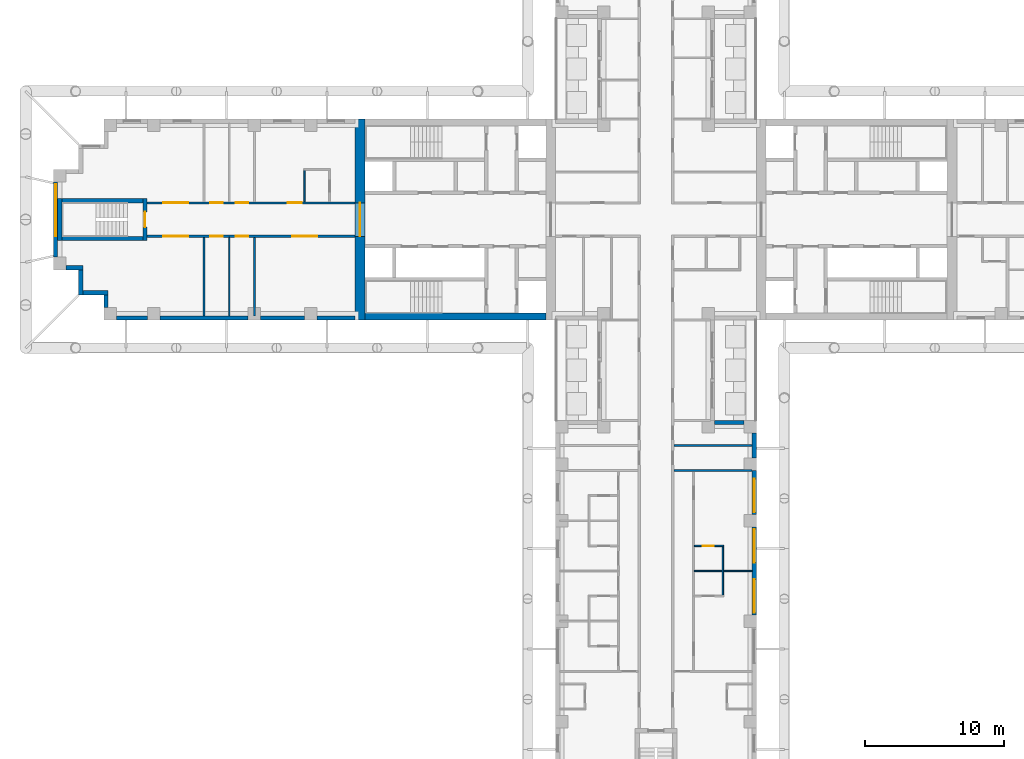
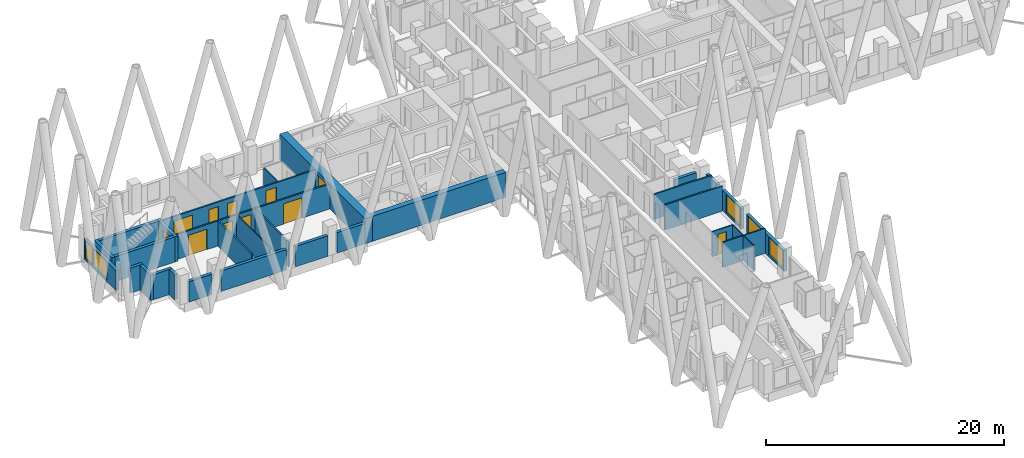
# One storey, part 5 of 14: 30 walls, 11 doors, 5 windows, 16 openings.
"""IFC4 building model written with IfcOpenShell, lengths in metres."""

from ifc_helpers import new_model, si_unit, direction, frame, frame_2d, origin, place, context, subcontext, project, spatial, rectangle, extrude, material, layer, layer_set, type_object, element, fill, save


model = new_model("IFC4")

# Units and contexts
model_context = context("Model", 3, precision=1e-05, world=origin(), true_north=direction((0.0, 1.0)))
body_context = subcontext(model_context, "Body", "Model", "MODEL_VIEW")
ifc_project = project(units=[si_unit("LENGTHUNIT", "METRE"), si_unit("AREAUNIT", "SQUARE_METRE"), si_unit("VOLUMEUNIT", "CUBIC_METRE"), si_unit("PLANEANGLEUNIT", "RADIAN"), si_unit("MASSUNIT", "GRAM", prefix="KILO")], contexts=[model_context])

# Site, building, storey
site_placement = place(None, origin())
site = spatial("IfcSite", under=ifc_project, at=site_placement, CompositionType="ELEMENT")
building_placement = place(site_placement, origin())
building = spatial("IfcBuilding", under=site, at=building_placement, Name="Fustian Cross Tower", CompositionType="ELEMENT")
storey_placement = place(building_placement, frame((0.0, 0.0, 102.89990234375)))
storey = spatial("IfcBuildingStorey", under=building, at=storey_placement, Name="L32", CompositionType="ELEMENT", Elevation=102.89990234375)

# Wall, openings, doors
ifc_material_1 = material(Name="Plasterboard on steel stud", Category="steel")
ifc_layer_1 = layer(ifc_material_1, 0.14990234375)
ifc_layer_set_1 = layer_set([ifc_layer_1], Name="Plasterboard on steel stud")
wall_type_1 = type_object("IfcWallType", Name="COMPARTMENT WALL 150 EI 60", PredefinedType="PARTITIONING", material=ifc_layer_set_1)
wall_1_placement = place(storey_placement, frame((-36.5, -1.199951171875, 0.0), z_axis=(0.0, 0.0, 1.0), x_axis=(1.0, 0.0, 0.0)))
wall_1 = element("IfcWall", 1, at=wall_1_placement, inside=storey, type_object=wall_type_1, Name="Partition 1", PredefinedType="PARTITIONING", context=body_context, shape_type="SweptSolid", body=[
    extrude(rectangle(XDim=14.89990234375, YDim=0.14990234375, at=frame_2d((7.449951171875, 0.0))), origin(), (0.0, 0.0, 1.0), 2.5751953125),
])
opening_1_placement = place(wall_1_placement, frame((10.39990234375, 0.0, 0.0)))
opening_1 = element("IfcOpeningElement", 2, at=opening_1_placement, cuts=wall_1, Name="Opening D15028", PredefinedType="OPENING", context=body_context, shape_type="SweptSolid", body=[
    extrude(rectangle(XDim=1.800048828125, YDim=2.10009765625, at=frame_2d((0.89990234375, 1.050048828125))), frame((0.0, 0.0849609375, 0.0), z_axis=(0.0, -1.0, 0.0), x_axis=(1.0, 0.0, 0.0)), (0.0, 0.0, 1.0), 0.169921875),
])
opening_2_placement = place(wall_1_placement, frame((6.35009765625, 0.0, 0.0)))
opening_2 = element("IfcOpeningElement", 3, at=opening_2_placement, cuts=wall_1, Name="Opening D15029", PredefinedType="OPENING", context=body_context, shape_type="SweptSolid", body=[
    extrude(rectangle(XDim=0.89990234375, YDim=2.10009765625, at=frame_2d((0.449951171875, 1.050048828125))), frame((0.0, 0.0849609375, 0.0), z_axis=(0.0, -1.0, 0.0), x_axis=(1.0, 0.0, 0.0)), (0.0, 0.0, 1.0), 0.169921875),
])
opening_3_placement = place(wall_1_placement, frame((4.550048828125, 0.0, 0.0)))
opening_3 = element("IfcOpeningElement", 4, at=opening_3_placement, cuts=wall_1, Name="Opening D15030", PredefinedType="OPENING", context=body_context, shape_type="SweptSolid", body=[
    extrude(rectangle(XDim=0.89990234375, YDim=2.10009765625, at=frame_2d((0.449951171875, 1.050048828125))), frame((0.0, 0.0849609375, 0.0), z_axis=(0.0, -1.0, 0.0), x_axis=(1.0, 0.0, 0.0)), (0.0, 0.0, 1.0), 0.169921875),
])
opening_4_placement = place(wall_1_placement, frame((1.14990234375, 0.0, 0.0)))
opening_4 = element("IfcOpeningElement", 5, at=opening_4_placement, cuts=wall_1, Name="Opening D15031", PredefinedType="OPENING", context=body_context, shape_type="SweptSolid", body=[
    extrude(rectangle(XDim=1.800048828125, YDim=2.10009765625, at=frame_2d((0.89990234375, 1.050048828125))), frame((0.0, 0.0849609375, 0.0), z_axis=(0.0, -1.0, 0.0), x_axis=(1.0, 0.0, 0.0)), (0.0, 0.0, 1.0), 0.169921875),
])
ifc_material_2 = material(Name="Timber fire door set", Category="wood")
door_type_1 = type_object("IfcDoorType", Name="FIRE DOUBLE DOOR 1800 FD30S", OperationType="DOUBLE_DOOR_DOUBLE_SWING", PredefinedType="DOOR", material=ifc_material_2)
door_1_placement = place(opening_1_placement, origin())
door_1 = element("IfcDoor", 6, at=door_1_placement, inside=storey, type_object=door_type_1, Name="Door D15028", OperationType="DOUBLE_DOOR_DOUBLE_SWING", OverallHeight=2.10009765625, OverallWidth=1.800048828125, PredefinedType="DOOR", context=body_context, shape_type="SweptSolid", body=[
    extrude(rectangle(XDim=1.800048828125, YDim=2.10009765625, at=frame_2d((0.89990234375, 1.050048828125))), frame((0.0, 0.02490234375, 0.0), z_axis=(0.0, -1.0, 0.0), x_axis=(1.0, 0.0, 0.0)), (0.0, 0.0, 1.0), 0.050048828125),
])
fill(opening_1, door_1)
door_2_placement = place(opening_4_placement, origin())
door_2 = element("IfcDoor", 7, at=door_2_placement, inside=storey, type_object=door_type_1, Name="Door D15031", OperationType="DOUBLE_DOOR_DOUBLE_SWING", OverallHeight=2.10009765625, OverallWidth=1.800048828125, PredefinedType="DOOR", context=body_context, shape_type="SweptSolid", body=[
    extrude(rectangle(XDim=1.800048828125, YDim=2.10009765625, at=frame_2d((0.89990234375, 1.050048828125))), frame((0.0, 0.02490234375, 0.0), z_axis=(0.0, -1.0, 0.0), x_axis=(1.0, 0.0, 0.0)), (0.0, 0.0, 1.0), 0.050048828125),
])
fill(opening_4, door_2)
ifc_material_3 = material(Name="Timber fire door set", Category="wood")
door_type_2 = type_object("IfcDoorType", Name="FIRE SWING DOOR 900 FD30S", OperationType="SINGLE_SWING_LEFT", PredefinedType="DOOR", material=ifc_material_3)
door_3_placement = place(opening_2_placement, frame((0.89990234375, 0.0, 0.0), z_axis=(0.0, 0.0, 1.0), x_axis=(-1.0, 0.0, 0.0)))
door_3 = element("IfcDoor", 8, at=door_3_placement, inside=storey, type_object=door_type_2, Name="Door D15029", OperationType="SINGLE_SWING_LEFT", OverallHeight=2.10009765625, OverallWidth=0.89990234375, PredefinedType="DOOR", context=body_context, shape_type="SweptSolid", body=[
    extrude(rectangle(XDim=0.89990234375, YDim=2.10009765625, at=frame_2d((0.449951171875, 1.050048828125))), frame((0.0, 0.02490234375, 0.0), z_axis=(0.0, -1.0, 0.0), x_axis=(1.0, 0.0, 0.0)), (0.0, 0.0, 1.0), 0.050048828125),
])
fill(opening_2, door_3)
door_4_placement = place(opening_3_placement, frame((0.89990234375, 0.0, 0.0), z_axis=(0.0, 0.0, 1.0), x_axis=(-1.0, 0.0, 0.0)))
door_4 = element("IfcDoor", 9, at=door_4_placement, inside=storey, type_object=door_type_2, Name="Door D15030", OperationType="SINGLE_SWING_LEFT", OverallHeight=2.10009765625, OverallWidth=0.89990234375, PredefinedType="DOOR", context=body_context, shape_type="SweptSolid", body=[
    extrude(rectangle(XDim=0.89990234375, YDim=2.10009765625, at=frame_2d((0.449951171875, 1.050048828125))), frame((0.0, 0.02490234375, 0.0), z_axis=(0.0, -1.0, 0.0), x_axis=(1.0, 0.0, 0.0)), (0.0, 0.0, 1.0), 0.050048828125),
])
fill(opening_3, door_4)

wall_2_placement = place(storey_placement, frame((-36.5, 1.199951171875, 0.0), z_axis=(0.0, 0.0, 1.0), x_axis=(1.0, 0.0, 0.0)))
wall_2 = element("IfcWall", 10, at=wall_2_placement, inside=storey, type_object=wall_type_1, Name="Partition 2", PredefinedType="PARTITIONING", context=body_context, shape_type="SweptSolid", body=[
    extrude(rectangle(XDim=14.89990234375, YDim=0.14990234375, at=frame_2d((7.449951171875, 0.0))), origin(), (0.0, 0.0, 1.0), 2.5751953125),
])
opening_5_placement = place(wall_2_placement, frame((10.10009765625, 0.0, 0.0)))
opening_5 = element("IfcOpeningElement", 11, at=opening_5_placement, cuts=wall_2, Name="Opening D15033", PredefinedType="OPENING", context=body_context, shape_type="SweptSolid", body=[
    extrude(rectangle(XDim=1.0, YDim=2.10009765625, at=frame_2d((0.5, 1.050048828125))), frame((0.0, 0.0849609375, 0.0), z_axis=(0.0, -1.0, 0.0), x_axis=(1.0, 0.0, 0.0)), (0.0, 0.0, 1.0), 0.169921875),
])
opening_6_placement = place(wall_2_placement, frame((6.35009765625, 0.0, 0.0)))
opening_6 = element("IfcOpeningElement", 12, at=opening_6_placement, cuts=wall_2, Name="Opening D15034", PredefinedType="OPENING", context=body_context, shape_type="SweptSolid", body=[
    extrude(rectangle(XDim=0.89990234375, YDim=2.10009765625, at=frame_2d((0.449951171875, 1.050048828125))), frame((0.0, 0.0849609375, 0.0), z_axis=(0.0, -1.0, 0.0), x_axis=(1.0, 0.0, 0.0)), (0.0, 0.0, 1.0), 0.169921875),
])
opening_7_placement = place(wall_2_placement, frame((4.550048828125, 0.0, 0.0)))
opening_7 = element("IfcOpeningElement", 13, at=opening_7_placement, cuts=wall_2, Name="Opening D15035", PredefinedType="OPENING", context=body_context, shape_type="SweptSolid", body=[
    extrude(rectangle(XDim=0.89990234375, YDim=2.10009765625, at=frame_2d((0.449951171875, 1.050048828125))), frame((0.0, 0.0849609375, 0.0), z_axis=(0.0, -1.0, 0.0), x_axis=(1.0, 0.0, 0.0)), (0.0, 0.0, 1.0), 0.169921875),
])
opening_8_placement = place(wall_2_placement, frame((1.14990234375, 0.0, 0.0)))
opening_8 = element("IfcOpeningElement", 14, at=opening_8_placement, cuts=wall_2, Name="Opening D15036", PredefinedType="OPENING", context=body_context, shape_type="SweptSolid", body=[
    extrude(rectangle(XDim=1.800048828125, YDim=2.10009765625, at=frame_2d((0.89990234375, 1.050048828125))), frame((0.0, 0.0849609375, 0.0), z_axis=(0.0, -1.0, 0.0), x_axis=(1.0, 0.0, 0.0)), (0.0, 0.0, 1.0), 0.169921875),
])
door_5_placement = place(opening_8_placement, frame((1.800048828125, 0.0, 0.0), z_axis=(0.0, 0.0, 1.0), x_axis=(-1.0, 0.0, 0.0)))
door_5 = element("IfcDoor", 15, at=door_5_placement, inside=storey, type_object=door_type_1, Name="Door D15036", OperationType="DOUBLE_DOOR_DOUBLE_SWING", OverallHeight=2.10009765625, OverallWidth=1.800048828125, PredefinedType="DOOR", context=body_context, shape_type="SweptSolid", body=[
    extrude(rectangle(XDim=1.800048828125, YDim=2.10009765625, at=frame_2d((0.89990234375, 1.050048828125))), frame((0.0, 0.02490234375, 0.0), z_axis=(0.0, -1.0, 0.0), x_axis=(1.0, 0.0, 0.0)), (0.0, 0.0, 1.0), 0.050048828125),
])
fill(opening_8, door_5)
ifc_material_4 = material(Name="Timber fire door set", Category="wood")
door_type_3 = type_object("IfcDoorType", Name="FIRE SWING DOOR 1000 FD30S", OperationType="SINGLE_SWING_LEFT", PredefinedType="DOOR", material=ifc_material_4)
door_6_placement = place(opening_5_placement, origin())
door_6 = element("IfcDoor", 16, at=door_6_placement, inside=storey, type_object=door_type_3, Name="Door D15033", OperationType="SINGLE_SWING_RIGHT", OverallHeight=2.10009765625, OverallWidth=1.0, PredefinedType="DOOR", context=body_context, shape_type="SweptSolid", body=[
    extrude(rectangle(XDim=1.0, YDim=2.10009765625, at=frame_2d((0.5, 1.050048828125))), frame((0.0, 0.02490234375, 0.0), z_axis=(0.0, -1.0, 0.0), x_axis=(1.0, 0.0, 0.0)), (0.0, 0.0, 1.0), 0.050048828125),
])
fill(opening_5, door_6)
door_7_placement = place(opening_6_placement, origin())
door_7 = element("IfcDoor", 17, at=door_7_placement, inside=storey, type_object=door_type_2, Name="Door D15034", OperationType="SINGLE_SWING_RIGHT", OverallHeight=2.10009765625, OverallWidth=0.89990234375, PredefinedType="DOOR", context=body_context, shape_type="SweptSolid", body=[
    extrude(rectangle(XDim=0.89990234375, YDim=2.10009765625, at=frame_2d((0.449951171875, 1.050048828125))), frame((0.0, 0.02490234375, 0.0), z_axis=(0.0, -1.0, 0.0), x_axis=(1.0, 0.0, 0.0)), (0.0, 0.0, 1.0), 0.050048828125),
])
fill(opening_6, door_7)
door_8_placement = place(opening_7_placement, origin())
door_8 = element("IfcDoor", 18, at=door_8_placement, inside=storey, type_object=door_type_2, Name="Door D15035", OperationType="SINGLE_SWING_RIGHT", OverallHeight=2.10009765625, OverallWidth=0.89990234375, PredefinedType="DOOR", context=body_context, shape_type="SweptSolid", body=[
    extrude(rectangle(XDim=0.89990234375, YDim=2.10009765625, at=frame_2d((0.449951171875, 1.050048828125))), frame((0.0, 0.02490234375, 0.0), z_axis=(0.0, -1.0, 0.0), x_axis=(1.0, 0.0, 0.0)), (0.0, 0.0, 1.0), 0.050048828125),
])
fill(opening_7, door_8)

# Walls
for number, where, z_axis, x_axis, name in (
    (19, (-32.39990234375, -6.89990234375, 0.0), (0.0, 0.0, 1.0), (0.0, 1.0, 0.0), "Partition 3"),
    (20, (-28.800048828125, -6.89990234375, 0.0), (0.0, 0.0, 1.0), (0.0, 1.0, 0.0), "Partition 7"),
    (21, (1.27490234375, -18.0, 0.0), (0.0, 0.0, 1.0), (1.0, 0.0, 0.0), "Partition 45"),
    (22, (1.27490234375, -16.199951171875, 0.0), (0.0, 0.0, 1.0), (1.0, 0.0, 0.0), "Partition 46"),
):
    element("IfcWall", number, at=place(storey_placement, frame(where, z_axis=z_axis, x_axis=x_axis)), inside=storey, type_object=wall_type_1, Name=name, PredefinedType="PARTITIONING", context=body_context, shape_type="SweptSolid", body=[
        extrude(rectangle(XDim=5.625, YDim=0.14990234375, at=frame_2d((2.8125, 0.0))), origin(), (0.0, 0.0, 1.0), 2.5751953125),
    ])

# Wall, opening, door
ifc_material_5 = material(Name="Concrete C70/85", Category="concrete")
ifc_layer_2 = layer(ifc_material_5, 0.75)
ifc_layer_set_2 = layer_set([ifc_layer_2], Name="Concrete C70/85")
wall_type_2 = type_object("IfcWallType", Name="CORE END WALL 750 C70/85", PredefinedType="SHEAR", material=ifc_layer_set_2)
wall_3_placement = place(storey_placement, frame((-21.22509765625, -7.199951171875, 0.0), z_axis=(0.0, 0.0, 1.0), x_axis=(0.0, 1.0, 0.0)))
wall_3 = element("IfcWall", 23, at=wall_3_placement, inside=storey, type_object=wall_type_2, Name="Core end wall", PredefinedType="SHEAR", context=body_context, shape_type="SweptSolid", body=[
    extrude(rectangle(XDim=14.39990234375, YDim=0.75, at=frame_2d((7.199951171875, 0.0))), origin(), (0.0, 0.0, 1.0), 2.5751953125),
])
opening_9_placement = place(wall_3_placement, frame((6.0, 0.0, 0.0)))
opening_9 = element("IfcOpeningElement", 24, at=opening_9_placement, cuts=wall_3, Name="Opening CD-10-28", PredefinedType="OPENING", context=body_context, shape_type="SweptSolid", body=[
    extrude(rectangle(XDim=2.39990234375, YDim=2.199951171875, at=frame_2d((1.199951171875, 1.10009765625))), frame((0.0, 0.385009765625, 0.0), z_axis=(0.0, -1.0, 0.0), x_axis=(1.0, 0.0, 0.0)), (0.0, 0.0, 1.0), 0.77001953125),
])
ifc_material_6 = material(Name="Steel", Category="steel")
door_type_4 = type_object("IfcDoorType", Name="FIRE DOOR FD30S DOUBLE 2400X2200", OperationType="DOUBLE_DOOR_DOUBLE_SWING", PredefinedType="DOOR", material=ifc_material_6)
door_9_placement = place(opening_9_placement, frame((2.39990234375, 0.0, 0.0), z_axis=(0.0, 0.0, 1.0), x_axis=(-1.0, 0.0, 0.0)))
door_9 = element("IfcDoor", 25, at=door_9_placement, inside=storey, type_object=door_type_4, Name="Core door CD-10-28", OperationType="DOUBLE_DOOR_DOUBLE_SWING", OverallHeight=2.199951171875, OverallWidth=2.39990234375, PredefinedType="DOOR", context=body_context, shape_type="SweptSolid", body=[
    extrude(rectangle(XDim=2.39990234375, YDim=2.199951171875, at=frame_2d((1.199951171875, 1.10009765625))), frame((0.0, 0.02490234375, 0.0), z_axis=(0.0, -1.0, 0.0), x_axis=(1.0, 0.0, 0.0)), (0.0, 0.0, 1.0), 0.050048828125),
])
fill(opening_9, door_9)

# Walls
ifc_material_7 = material(Name="Concrete C70/85", Category="concrete")
ifc_layer_3 = layer(ifc_material_7, 0.5)
ifc_layer_set_3 = layer_set([ifc_layer_3], Name="Concrete C70/85")
wall_type_3 = type_object("IfcWallType", Name="CORE FACADE WALL 500 C70/85", PredefinedType="SHEAR", material=ifc_layer_set_3)
wall_4_placement = place(storey_placement, frame((-7.89990234375, -6.949951171875, 0.0), z_axis=(0.0, 0.0, 1.0), x_axis=(-1.0, 0.0, 0.0)))
element("IfcWall", 26, at=wall_4_placement, inside=storey, type_object=wall_type_3, Name="Core facade wall", PredefinedType="SHEAR", context=body_context, shape_type="SweptSolid", body=[
    extrude(rectangle(XDim=12.9501953125, YDim=0.5, at=frame_2d((6.47509765625, 0.0))), origin(), (0.0, 0.0, 1.0), 2.5751953125),
])
ifc_material_8 = material(Name="Plasterboard on steel stud", Category="steel")
ifc_layer_4 = layer(ifc_material_8, 0.10009765625)
ifc_layer_set_4 = layer_set([ifc_layer_4], Name="Plasterboard on steel stud")
wall_type_4 = type_object("IfcWallType", Name="PARTITION 100 STUD", PredefinedType="PARTITIONING", material=ifc_layer_set_4)
wall_5_placement = place(storey_placement, frame((-30.60009765625, -6.89990234375, 0.0), z_axis=(0.0, 0.0, 1.0), x_axis=(0.0, 1.0, 0.0)))
element("IfcWall", 27, at=wall_5_placement, inside=storey, type_object=wall_type_4, Name="Partition 5", PredefinedType="PARTITIONING", context=body_context, shape_type="SweptSolid", body=[
    extrude(rectangle(XDim=5.625, YDim=0.10009765625, at=frame_2d((2.8125, 0.0))), origin(), (0.0, 0.0, 1.0), 2.5751953125),
])
wall_6_placement = place(storey_placement, frame((-25.199951171875, 1.27490234375, 0.0), z_axis=(0.0, 0.0, 1.0), x_axis=(0.0, 1.0, 0.0)))
element("IfcWall", 28, at=wall_6_placement, inside=storey, type_object=wall_type_4, Name="Partition 9", PredefinedType="PARTITIONING", context=body_context, shape_type="SweptSolid", body=[
    extrude(rectangle(XDim=2.275146484375, YDim=0.10009765625, at=frame_2d((1.1376953125, 0.0))), origin(), (0.0, 0.0, 1.0), 2.5751953125),
])
wall_7_placement = place(storey_placement, frame((2.75, -25.199951171875, 0.0), z_axis=(0.0, 0.0, 1.0), x_axis=(1.0, 0.0, 0.0)))
element("IfcWall", 29, at=wall_7_placement, inside=storey, type_object=wall_type_4, Name="Partition 61", PredefinedType="PARTITIONING", context=body_context, shape_type="SweptSolid", body=[
    extrude(rectangle(XDim=4.14990234375, YDim=0.10009765625, at=frame_2d((2.074951171875, 0.0))), origin(), (0.0, 0.0, 1.0), 2.5751953125),
])

# Wall, opening, door
wall_8_placement = place(storey_placement, frame((2.75, -23.39990234375, 0.0), z_axis=(0.0, 0.0, 1.0), x_axis=(1.0, 0.0, 0.0)))
wall_8 = element("IfcWall", 30, at=wall_8_placement, inside=storey, type_object=wall_type_4, Name="Partition 62", PredefinedType="PARTITIONING", context=body_context, shape_type="SweptSolid", body=[
    extrude(rectangle(XDim=2.10009765625, YDim=0.10009765625, at=frame_2d((1.050048828125, 0.0))), origin(), (0.0, 0.0, 1.0), 2.5751953125),
])
opening_10_placement = place(wall_8_placement, frame((0.60009765625, 0.0, 0.0)))
opening_10 = element("IfcOpeningElement", 31, at=opening_10_placement, cuts=wall_8, Name="Opening D15045", PredefinedType="OPENING", context=body_context, shape_type="SweptSolid", body=[
    extrude(rectangle(XDim=0.800048828125, YDim=2.10009765625, at=frame_2d((0.39990234375, 1.050048828125))), frame((0.0, 0.06005859375, 0.0), z_axis=(0.0, -1.0, 0.0), x_axis=(1.0, 0.0, 0.0)), (0.0, 0.0, 1.0), 0.1201171875),
])
ifc_material_9 = material(Name="Painted timber", Category="wood")
door_type_5 = type_object("IfcDoorType", Name="SWING DOOR 800", OperationType="SINGLE_SWING_LEFT", PredefinedType="DOOR", material=ifc_material_9)
door_10_placement = place(opening_10_placement, frame((0.800048828125, 0.0, 0.0), z_axis=(0.0, 0.0, 1.0), x_axis=(-1.0, 0.0, 0.0)))
door_10 = element("IfcDoor", 32, at=door_10_placement, inside=storey, type_object=door_type_5, Name="Door D15045", OperationType="SINGLE_SWING_RIGHT", OverallHeight=2.10009765625, OverallWidth=0.800048828125, PredefinedType="DOOR", context=body_context, shape_type="SweptSolid", body=[
    extrude(rectangle(XDim=0.800048828125, YDim=2.10009765625, at=frame_2d((0.39990234375, 1.050048828125))), frame((0.0, 0.02490234375, 0.0), z_axis=(0.0, -1.0, 0.0), x_axis=(1.0, 0.0, 0.0)), (0.0, 0.0, 1.0), 0.050048828125),
])
fill(opening_10, door_10)

# Wall
wall_9_placement = place(storey_placement, frame((4.800048828125, -26.949951171875, 0.0), z_axis=(0.0, 0.0, 1.0), x_axis=(0.0, 1.0, 0.0)))
element("IfcWall", 33, at=wall_9_placement, inside=storey, type_object=wall_type_4, Name="Partition 65", PredefinedType="PARTITIONING", context=body_context, shape_type="SweptSolid", body=[
    extrude(rectangle(XDim=3.5, YDim=0.10009765625, at=frame_2d((1.75, 0.0))), origin(), (0.0, 0.0, 1.0), 2.5751953125),
])

# Wall, opening, door
ifc_material_10 = material(Name="Concrete C50/60", Category="concrete")
ifc_layer_5 = layer(ifc_material_10, 0.300048828125)
ifc_layer_set_5 = layer_set([ifc_layer_5], Name="Concrete C50/60")
wall_type_5 = type_object("IfcWallType", Name="STAIR ENCLOSURE WALL 300 C50/60", PredefinedType="SHEAR", material=ifc_layer_set_5)
wall_10_placement = place(storey_placement, frame((-36.64990234375, -1.5, 0.0), z_axis=(0.0, 0.0, 1.0), x_axis=(0.0, 1.0, 0.0)))
wall_10 = element("IfcWall", 34, at=wall_10_placement, inside=storey, type_object=wall_type_5, Name="Stair enclosure wall", PredefinedType="SHEAR", context=body_context, shape_type="SweptSolid", body=[
    extrude(rectangle(XDim=3.0, YDim=0.300048828125, at=frame_2d((1.5, 0.0))), origin(), (0.0, 0.0, 1.0), 2.5751953125),
])
opening_11_placement = place(wall_10_placement, frame((0.949951171875, 0.0, 0.0)))
opening_11 = element("IfcOpeningElement", 35, at=opening_11_placement, cuts=wall_10, Name="Opening CD-10-33", PredefinedType="OPENING", context=body_context, shape_type="SweptSolid", body=[
    extrude(rectangle(XDim=1.10009765625, YDim=2.10009765625, at=frame_2d((0.550048828125, 1.050048828125))), frame((0.0, 0.159912109375, 0.0), z_axis=(0.0, -1.0, 0.0), x_axis=(1.0, 0.0, 0.0)), (0.0, 0.0, 1.0), 0.320068359375),
])
ifc_material_11 = material(Name="Steel", Category="steel")
door_type_6 = type_object("IfcDoorType", Name="FIRE DOOR FD60S 1100X2100", OperationType="SINGLE_SWING_LEFT", PredefinedType="DOOR", material=ifc_material_11)
door_11_placement = place(opening_11_placement, origin())
door_11 = element("IfcDoor", 36, at=door_11_placement, inside=storey, type_object=door_type_6, Name="Core door CD-10-33", OperationType="SINGLE_SWING_LEFT", OverallHeight=2.10009765625, OverallWidth=1.10009765625, PredefinedType="DOOR", context=body_context, shape_type="SweptSolid", body=[
    extrude(rectangle(XDim=1.10009765625, YDim=2.10009765625, at=frame_2d((0.550048828125, 1.050048828125))), frame((0.0, 0.02490234375, 0.0), z_axis=(0.0, -1.0, 0.0), x_axis=(1.0, 0.0, 0.0)), (0.0, 0.0, 1.0), 0.050048828125),
])
fill(opening_11, door_11)

# Walls
wall_11_placement = place(storey_placement, frame((-42.75, -1.5, 0.0), z_axis=(0.0, 0.0, 1.0), x_axis=(0.0, 1.0, 0.0)))
element("IfcWall", 37, at=wall_11_placement, inside=storey, type_object=wall_type_5, Name="Stair enclosure wall", PredefinedType="SHEAR", context=body_context, shape_type="SweptSolid", body=[
    extrude(rectangle(XDim=3.0, YDim=0.300048828125, at=frame_2d((1.5, 0.0))), origin(), (0.0, 0.0, 1.0), 2.5751953125),
])
for number, where, z_axis, x_axis, name in (
    (38, (-36.800048828125, -1.35009765625, 0.0), (0.0, 0.0, 1.0), (-1.0, 0.0, 0.0), "Stair enclosure wall"),
    (39, (-36.800048828125, 1.35009765625, 0.0), (0.0, 0.0, 1.0), (-1.0, 0.0, 0.0), "Stair enclosure wall"),
):
    element("IfcWall", number, at=place(storey_placement, frame(where, z_axis=z_axis, x_axis=x_axis)), inside=storey, type_object=wall_type_5, Name=name, PredefinedType="SHEAR", context=body_context, shape_type="SweptSolid", body=[
        extrude(rectangle(XDim=5.800048828125, YDim=0.300048828125, at=frame_2d((2.89990234375, 0.0))), origin(), (0.0, 0.0, 1.0), 2.5751953125),
    ])

# Wall, openings, windows
ifc_material_12 = material(Name="Dark aluminium cladding on insulated backing wall", Category="aluminium")
ifc_layer_6 = layer(ifc_material_12, 0.300048828125)
ifc_layer_set_6 = layer_set([ifc_layer_6], Name="Dark aluminium cladding on insulated backing wall")
wall_type_6 = type_object("IfcWallType", Name="XW1 EXTERNAL WALL 300", PredefinedType="SOLIDWALL", material=ifc_layer_set_6)
wall_12_placement = place(storey_placement, frame((-43.050048828125, 2.699951171875, 0.0), z_axis=(0.0, 0.0, 1.0), x_axis=(0.0, -1.0, 0.0)))
wall_12 = element("IfcWall", 40, at=wall_12_placement, inside=storey, type_object=wall_type_6, Name="External wall", PredefinedType="SOLIDWALL", context=body_context, shape_type="SweptSolid", body=[
    extrude(rectangle(XDim=5.39990234375, YDim=0.300048828125, at=frame_2d((2.699951171875, 0.0))), origin(), (0.0, 0.0, 1.0), 2.10009765625),
])
opening_12_placement = place(wall_12_placement, frame((1.5, 0.0, 0.199951171875)))
opening_12 = element("IfcOpeningElement", 41, at=opening_12_placement, cuts=wall_12, Name="Opening WN1", PredefinedType="OPENING", context=body_context, shape_type="SweptSolid", body=[
    extrude(rectangle(XDim=2.39990234375, YDim=1.85009765625, at=frame_2d((1.199951171875, 0.925048828125))), frame((0.0, 0.159912109375, 0.0), z_axis=(0.0, -1.0, 0.0), x_axis=(1.0, 0.0, 0.0)), (0.0, 0.0, 1.0), 0.320068359375),
])
opening_13_placement = place(wall_12_placement, frame((0.14990234375, 0.0, 0.199951171875)))
opening_13 = element("IfcOpeningElement", 42, at=opening_13_placement, cuts=wall_12, Name="Opening WN3", PredefinedType="OPENING", context=body_context, shape_type="SweptSolid", body=[
    extrude(rectangle(XDim=1.199951171875, YDim=1.85009765625, at=frame_2d((0.60009765625, 0.925048828125))), frame((0.0, 0.159912109375, 0.0), z_axis=(0.0, -1.0, 0.0), x_axis=(1.0, 0.0, 0.0)), (0.0, 0.0, 1.0), 0.320068359375),
])
ifc_material_13 = material(Name="Dark anodised aluminium and double glazing", Category="aluminium")
window_type_1 = type_object("IfcWindowType", Name="WN1 WINDOW 2400X1850", PartitioningType="SINGLE_PANEL", PredefinedType="WINDOW", material=ifc_material_13)
window_1_placement = place(opening_12_placement, origin())
window_1 = element("IfcWindow", 43, at=window_1_placement, inside=storey, type_object=window_type_1, Name="Window", OverallHeight=1.85009765625, OverallWidth=2.39990234375, PartitioningType="SINGLE_PANEL", PredefinedType="WINDOW", context=body_context, shape_type="SweptSolid", body=[
    extrude(rectangle(XDim=2.39990234375, YDim=1.85009765625, at=frame_2d((1.199951171875, 0.925048828125))), frame((0.0, 0.030029296875, 0.0), z_axis=(0.0, -1.0, 0.0), x_axis=(1.0, 0.0, 0.0)), (0.0, 0.0, 1.0), 0.06005859375),
])
fill(opening_12, window_1)
ifc_material_14 = material(Name="Dark anodised aluminium and double glazing", Category="aluminium")
window_type_2 = type_object("IfcWindowType", Name="WN3 WINDOW 1200X1850", PartitioningType="SINGLE_PANEL", PredefinedType="WINDOW", material=ifc_material_14)
window_2_placement = place(opening_13_placement, origin())
window_2 = element("IfcWindow", 44, at=window_2_placement, inside=storey, type_object=window_type_2, Name="Window", OverallHeight=1.85009765625, OverallWidth=1.199951171875, PartitioningType="SINGLE_PANEL", PredefinedType="WINDOW", context=body_context, shape_type="SweptSolid", body=[
    extrude(rectangle(XDim=1.199951171875, YDim=1.85009765625, at=frame_2d((0.60009765625, 0.925048828125))), frame((0.0, 0.030029296875, 0.0), z_axis=(0.0, -1.0, 0.0), x_axis=(1.0, 0.0, 0.0)), (0.0, 0.0, 1.0), 0.06005859375),
])
fill(opening_13, window_2)

# Walls
wall_13_placement = place(storey_placement, frame((-42.300048828125, -3.449951171875, 0.0), z_axis=(0.0, 0.0, 1.0), x_axis=(1.0, 0.0, 0.0)))
element("IfcWall", 45, at=wall_13_placement, inside=storey, type_object=wall_type_6, Name="External wall", PredefinedType="SOLIDWALL", context=body_context, shape_type="SweptSolid", body=[
    extrude(rectangle(XDim=1.199951171875, YDim=0.300048828125, at=frame_2d((0.60009765625, 0.0))), origin(), (0.0, 0.0, 1.0), 2.5751953125),
])
wall_14_placement = place(storey_placement, frame((-41.25, -3.60009765625, 0.0), z_axis=(0.0, 0.0, 1.0), x_axis=(0.0, -1.0, 0.0)))
element("IfcWall", 46, at=wall_14_placement, inside=storey, type_object=wall_type_6, Name="External wall", PredefinedType="SOLIDWALL", context=body_context, shape_type="SweptSolid", body=[
    extrude(rectangle(XDim=1.7998046875, YDim=0.300048828125, at=frame_2d((0.89990234375, 0.0))), origin(), (0.0, 0.0, 1.0), 2.5751953125),
])
wall_15_placement = place(storey_placement, frame((-41.10009765625, -5.25, 0.0), z_axis=(0.0, 0.0, 1.0), x_axis=(1.0, 0.0, 0.0)))
element("IfcWall", 47, at=wall_15_placement, inside=storey, type_object=wall_type_6, Name="External wall", PredefinedType="SOLIDWALL", context=body_context, shape_type="SweptSolid", body=[
    extrude(rectangle(XDim=1.800048828125, YDim=0.300048828125, at=frame_2d((0.89990234375, 0.0))), origin(), (0.0, 0.0, 1.0), 2.5751953125),
])
wall_16_placement = place(storey_placement, frame((-39.449951171875, -5.39990234375, 0.0), z_axis=(0.0, 0.0, 1.0), x_axis=(0.0, -1.0, 0.0)))
element("IfcWall", 48, at=wall_16_placement, inside=storey, type_object=wall_type_6, Name="External wall", PredefinedType="SOLIDWALL", context=body_context, shape_type="SweptSolid", body=[
    extrude(rectangle(XDim=0.900146484375, YDim=0.300048828125, at=frame_2d((0.4501953125, 0.0))), origin(), (0.0, 0.0, 1.0), 2.5751953125),
])
wall_17_placement = place(storey_placement, frame((-38.699951171875, -7.050048828125, 0.0), z_axis=(0.0, 0.0, 1.0), x_axis=(1.0, 0.0, 0.0)))
element("IfcWall", 49, at=wall_17_placement, inside=storey, type_object=wall_type_6, Name="External wall", PredefinedType="SOLIDWALL", context=body_context, shape_type="SweptSolid", body=[
    extrude(rectangle(XDim=2.25, YDim=0.300048828125, at=frame_2d((1.125, 0.0))), origin(), (0.0, 0.0, 1.0), 2.10009765625),
])
wall_18_placement = place(storey_placement, frame((-35.550048828125, -7.050048828125, 0.0), z_axis=(0.0, 0.0, 1.0), x_axis=(1.0, 0.0, 0.0)))
element("IfcWall", 50, at=wall_18_placement, inside=storey, type_object=wall_type_6, Name="External wall", PredefinedType="SOLIDWALL", context=body_context, shape_type="SweptSolid", body=[
    extrude(rectangle(XDim=6.300048828125, YDim=0.300048828125, at=frame_2d((3.14990234375, 0.0))), origin(), (0.0, 0.0, 1.0), 2.10009765625),
])
wall_19_placement = place(storey_placement, frame((-28.35009765625, -7.050048828125, 0.0), z_axis=(0.0, 0.0, 1.0), x_axis=(1.0, 0.0, 0.0)))
element("IfcWall", 51, at=wall_19_placement, inside=storey, type_object=wall_type_6, Name="External wall", PredefinedType="SOLIDWALL", context=body_context, shape_type="SweptSolid", body=[
    extrude(rectangle(XDim=3.150146484375, YDim=0.300048828125, at=frame_2d((1.5751953125, 0.0))), origin(), (0.0, 0.0, 1.0), 2.10009765625),
])
wall_20_placement = place(storey_placement, frame((-24.300048828125, -7.050048828125, 0.0), z_axis=(0.0, 0.0, 1.0), x_axis=(1.0, 0.0, 0.0)))
element("IfcWall", 52, at=wall_20_placement, inside=storey, type_object=wall_type_6, Name="External wall", PredefinedType="SOLIDWALL", context=body_context, shape_type="SweptSolid", body=[
    extrude(rectangle(XDim=2.699951171875, YDim=0.300048828125, at=frame_2d((1.35009765625, 0.0))), origin(), (0.0, 0.0, 1.0), 2.10009765625),
])

# Wall, openings, windows
wall_21_placement = place(storey_placement, frame((7.050048828125, -28.35009765625, 0.0), z_axis=(0.0, 0.0, 1.0), x_axis=(0.0, 1.0, 0.0)))
wall_21 = element("IfcWall", 53, at=wall_21_placement, inside=storey, type_object=wall_type_6, Name="External wall", PredefinedType="SOLIDWALL", context=body_context, shape_type="SweptSolid", body=[
    extrude(rectangle(XDim=6.300048828125, YDim=0.300048828125, at=frame_2d((3.14990234375, 0.0))), origin(), (0.0, 0.0, 1.0), 2.10009765625),
])
opening_14_placement = place(wall_21_placement, frame((0.14990234375, 0.0, 0.199951171875)))
opening_14 = element("IfcOpeningElement", 54, at=opening_14_placement, cuts=wall_21, Name="Opening WN1", PredefinedType="OPENING", context=body_context, shape_type="SweptSolid", body=[
    extrude(rectangle(XDim=2.39990234375, YDim=1.85009765625, at=frame_2d((1.199951171875, 0.925048828125))), frame((0.0, 0.159912109375, 0.0), z_axis=(0.0, -1.0, 0.0), x_axis=(1.0, 0.0, 0.0)), (0.0, 0.0, 1.0), 0.320068359375),
])
opening_15_placement = place(wall_21_placement, frame((3.75, 0.0, 0.199951171875)))
opening_15 = element("IfcOpeningElement", 55, at=opening_15_placement, cuts=wall_21, Name="Opening WN1", PredefinedType="OPENING", context=body_context, shape_type="SweptSolid", body=[
    extrude(rectangle(XDim=2.39990234375, YDim=1.85009765625, at=frame_2d((1.199951171875, 0.925048828125))), frame((0.0, 0.159912109375, 0.0), z_axis=(0.0, -1.0, 0.0), x_axis=(1.0, 0.0, 0.0)), (0.0, 0.0, 1.0), 0.320068359375),
])
window_3_placement = place(opening_14_placement, origin())
window_3 = element("IfcWindow", 56, at=window_3_placement, inside=storey, type_object=window_type_1, Name="Window", OverallHeight=1.85009765625, OverallWidth=2.39990234375, PartitioningType="SINGLE_PANEL", PredefinedType="WINDOW", context=body_context, shape_type="SweptSolid", body=[
    extrude(rectangle(XDim=2.39990234375, YDim=1.85009765625, at=frame_2d((1.199951171875, 0.925048828125))), frame((0.0, 0.030029296875, 0.0), z_axis=(0.0, -1.0, 0.0), x_axis=(1.0, 0.0, 0.0)), (0.0, 0.0, 1.0), 0.06005859375),
])
fill(opening_14, window_3)
window_4_placement = place(opening_15_placement, origin())
window_4 = element("IfcWindow", 57, at=window_4_placement, inside=storey, type_object=window_type_1, Name="Window", OverallHeight=1.85009765625, OverallWidth=2.39990234375, PartitioningType="SINGLE_PANEL", PredefinedType="WINDOW", context=body_context, shape_type="SweptSolid", body=[
    extrude(rectangle(XDim=2.39990234375, YDim=1.85009765625, at=frame_2d((1.199951171875, 0.925048828125))), frame((0.0, 0.030029296875, 0.0), z_axis=(0.0, -1.0, 0.0), x_axis=(1.0, 0.0, 0.0)), (0.0, 0.0, 1.0), 0.06005859375),
])
fill(opening_15, window_4)

# Wall, opening, window
wall_22_placement = place(storey_placement, frame((7.050048828125, -21.14990234375, 0.0), z_axis=(0.0, 0.0, 1.0), x_axis=(0.0, 1.0, 0.0)))
wall_22 = element("IfcWall", 58, at=wall_22_placement, inside=storey, type_object=wall_type_6, Name="External wall", PredefinedType="SOLIDWALL", context=body_context, shape_type="SweptSolid", body=[
    extrude(rectangle(XDim=3.14990234375, YDim=0.300048828125, at=frame_2d((1.574951171875, 0.0))), origin(), (0.0, 0.0, 1.0), 2.10009765625),
])
opening_16_placement = place(wall_22_placement, frame((0.14990234375, 0.0, 0.199951171875)))
opening_16 = element("IfcOpeningElement", 59, at=opening_16_placement, cuts=wall_22, Name="Opening WN1", PredefinedType="OPENING", context=body_context, shape_type="SweptSolid", body=[
    extrude(rectangle(XDim=2.39990234375, YDim=1.85009765625, at=frame_2d((1.199951171875, 0.925048828125))), frame((0.0, 0.159912109375, 0.0), z_axis=(0.0, -1.0, 0.0), x_axis=(1.0, 0.0, 0.0)), (0.0, 0.0, 1.0), 0.320068359375),
])
window_5_placement = place(opening_16_placement, origin())
window_5 = element("IfcWindow", 60, at=window_5_placement, inside=storey, type_object=window_type_1, Name="Window", OverallHeight=1.85009765625, OverallWidth=2.39990234375, PartitioningType="SINGLE_PANEL", PredefinedType="WINDOW", context=body_context, shape_type="SweptSolid", body=[
    extrude(rectangle(XDim=2.39990234375, YDim=1.85009765625, at=frame_2d((1.199951171875, 0.925048828125))), frame((0.0, 0.030029296875, 0.0), z_axis=(0.0, -1.0, 0.0), x_axis=(1.0, 0.0, 0.0)), (0.0, 0.0, 1.0), 0.06005859375),
])
fill(opening_16, window_5)

# Walls
wall_23_placement = place(storey_placement, frame((7.050048828125, -17.10009765625, 0.0), z_axis=(0.0, 0.0, 1.0), x_axis=(0.0, 1.0, 0.0)))
element("IfcWall", 61, at=wall_23_placement, inside=storey, type_object=wall_type_6, Name="External wall", PredefinedType="SOLIDWALL", context=body_context, shape_type="SweptSolid", body=[
    extrude(rectangle(XDim=1.800048828125, YDim=0.300048828125, at=frame_2d((0.89990234375, 0.0))), origin(), (0.0, 0.0, 1.0), 2.10009765625),
])
wall_24_placement = place(storey_placement, frame((6.300048828125, -14.550048828125, 0.0), z_axis=(0.0, 0.0, 1.0), x_axis=(-1.0, 0.0, 0.0)))
element("IfcWall", 62, at=wall_24_placement, inside=storey, type_object=wall_type_6, Name="External wall", PredefinedType="SOLIDWALL", context=body_context, shape_type="SweptSolid", body=[
    extrude(rectangle(XDim=2.10009765625, YDim=0.300048828125, at=frame_2d((1.050048828125, 0.0))), origin(), (0.0, 0.0, 1.0), 2.10009765625),
])

save(model, "model.ifc")
